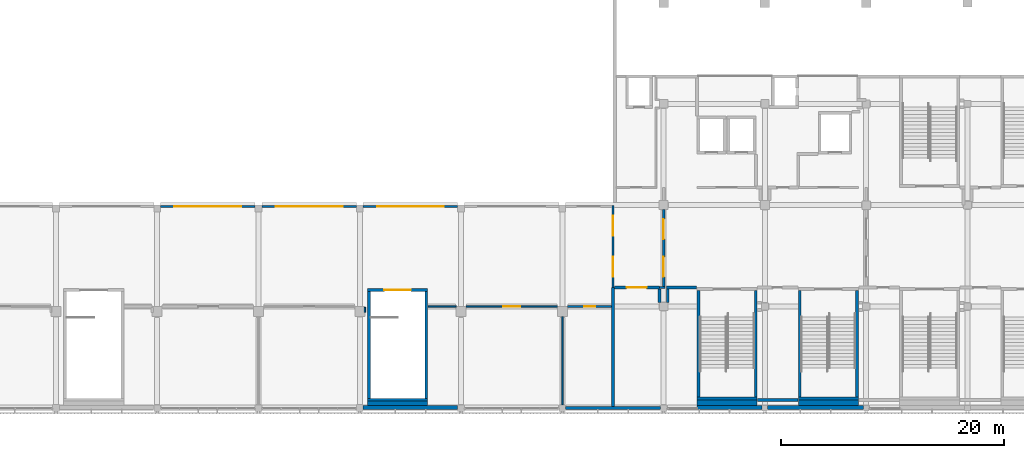
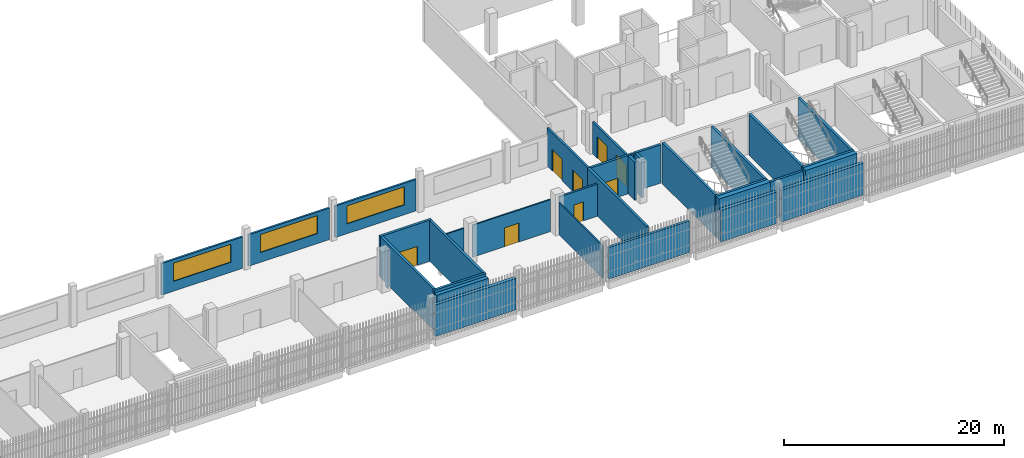
# One storey, part 57 of 104: 34 walls, 8 doors, 3 windows, 11 openings.
"""IFC4 building model written with IfcOpenShell, lengths in metres."""

from ifc_helpers import new_model, si_unit, direction, frame, frame_2d, origin, place, context, subcontext, project, spatial, rectangle, extrude, material, layer, layer_set, type_object, element, fill, save


model = new_model("IFC4")

# Units and contexts
model_context = context("Model", 3, precision=1e-05, world=origin(), true_north=direction((0.0, 1.0)))
body_context = subcontext(model_context, "Body", "Model", "MODEL_VIEW")
ifc_project = project(units=[si_unit("LENGTHUNIT", "METRE"), si_unit("AREAUNIT", "SQUARE_METRE"), si_unit("VOLUMEUNIT", "CUBIC_METRE"), si_unit("PLANEANGLEUNIT", "RADIAN"), si_unit("MASSUNIT", "GRAM", prefix="KILO")], contexts=[model_context])

# Site, building, storey
site_placement = place(None, origin())
site = spatial("IfcSite", under=ifc_project, at=site_placement, CompositionType="ELEMENT")
building_placement = place(site_placement, origin())
building = spatial("IfcBuilding", under=site, at=building_placement, Name="Shirokan Park Arena", CompositionType="ELEMENT")
storey_placement = place(building_placement, frame((0.0, 0.0, 10.919921875)))
storey = spatial("IfcBuildingStorey", under=building, at=storey_placement, Name="L02", CompositionType="ELEMENT", Elevation=10.919921875)

# Wall, opening, window
ifc_material_1 = material(Name="Cedar timber lining", Category="wood")
ifc_layer_1 = layer(ifc_material_1, 0.02001953125, Name="Cedar timber lining")
ifc_material_2 = material(Name="Plywood", Category="wood")
ifc_layer_2 = layer(ifc_material_2, 0.01806640625, Name="Plywood")
ifc_material_3 = material(Name="Mineral wool insulation")
ifc_layer_3 = layer(ifc_material_3, 0.14208984375, Name="Mineral wool insulation")
ifc_material_4 = material(Name="Gypsum board")
ifc_layer_4 = layer(ifc_material_4, 0.02001953125, Name="Gypsum board")
ifc_layer_set_1 = layer_set([ifc_layer_1, ifc_layer_2, ifc_layer_3, ifc_layer_4], Name="Cedar timber lining + Plywood + Mineral wool insulation + Gypsum board")
wall_type_1 = type_object("IfcWallType", Name="Bowl front wall 200", PredefinedType="PARTITIONING", material=ifc_layer_set_1)
wall_1_placement = place(storey_placement, frame((64.0, 18.070068359375, 0.0), z_axis=(0.0, 0.0, 1.0), x_axis=(1.0, 0.0, 0.0)))
wall_1 = element("IfcWall", 1, at=wall_1_placement, inside=storey, type_object=wall_type_1, Name="Bowl front wall 200 L02", PredefinedType="PARTITIONING", context=body_context, shape_type="SweptSolid", body=[
    extrude(rectangle(XDim=8.5, YDim=0.199951171875, at=frame_2d((4.25, 0.0))), origin(), (0.0, 0.0, 1.0), 3.5),
])
opening_1_placement = place(wall_1_placement, frame((1.25, 0.0, 1.10009765625)))
opening_1 = element("IfcOpeningElement", 2, at=opening_1_placement, cuts=wall_1, Name="Opening W6", PredefinedType="OPENING", context=body_context, shape_type="SweptSolid", body=[
    extrude(rectangle(XDim=6.0, YDim=2.0, at=frame_2d((3.0, 1.0))), frame((0.0, 0.10986328125, 0.0), z_axis=(0.0, -1.0, 0.0), x_axis=(1.0, 0.0, 0.0)), (0.0, 0.0, 1.0), 0.219970703125),
])
ifc_material_5 = material(Name="Aluminium frame with laminated glass", Category="aluminium")
window_type = type_object("IfcWindowType", Name="Lounge viewing window 6000 x 2000", PartitioningType="SINGLE_PANEL", PredefinedType="WINDOW", material=ifc_material_5)
window_1_placement = place(opening_1_placement, origin())
window_1 = element("IfcWindow", 3, at=window_1_placement, inside=storey, type_object=window_type, Name="Lounge viewing window 6000 x 2000 L02", OverallHeight=2.0, OverallWidth=6.0, PartitioningType="SINGLE_PANEL", PredefinedType="WINDOW", context=body_context, shape_type="SweptSolid", body=[
    extrude(rectangle(XDim=6.0, YDim=2.0, at=frame_2d((3.0, 1.0))), frame((0.0, 0.030029296875, 0.0), z_axis=(0.0, -1.0, 0.0), x_axis=(1.0, 0.0, 0.0)), (0.0, 0.0, 1.0), 0.06005859375),
])
fill(opening_1, window_1)

wall_2_placement = place(storey_placement, frame((73.10009765625, 18.070068359375, 0.0), z_axis=(0.0, 0.0, 1.0), x_axis=(1.0, 0.0, 0.0)))
wall_2 = element("IfcWall", 4, at=wall_2_placement, inside=storey, type_object=wall_type_1, Name="Bowl front wall 200 L02", PredefinedType="PARTITIONING", context=body_context, shape_type="SweptSolid", body=[
    extrude(rectangle(XDim=8.5, YDim=0.199951171875, at=frame_2d((4.25, 0.0))), origin(), (0.0, 0.0, 1.0), 3.5),
])
opening_2_placement = place(wall_2_placement, frame((1.25, 0.0, 1.10009765625)))
opening_2 = element("IfcOpeningElement", 5, at=opening_2_placement, cuts=wall_2, Name="Opening W6", PredefinedType="OPENING", context=body_context, shape_type="SweptSolid", body=[
    extrude(rectangle(XDim=6.0, YDim=2.0, at=frame_2d((3.0, 1.0))), frame((0.0, 0.10986328125, 0.0), z_axis=(0.0, -1.0, 0.0), x_axis=(1.0, 0.0, 0.0)), (0.0, 0.0, 1.0), 0.219970703125),
])
window_2_placement = place(opening_2_placement, origin())
window_2 = element("IfcWindow", 6, at=window_2_placement, inside=storey, type_object=window_type, Name="Lounge viewing window 6000 x 2000 L02", OverallHeight=2.0, OverallWidth=6.0, PartitioningType="SINGLE_PANEL", PredefinedType="WINDOW", context=body_context, shape_type="SweptSolid", body=[
    extrude(rectangle(XDim=6.0, YDim=2.0, at=frame_2d((3.0, 1.0))), frame((0.0, 0.030029296875, 0.0), z_axis=(0.0, -1.0, 0.0), x_axis=(1.0, 0.0, 0.0)), (0.0, 0.0, 1.0), 0.06005859375),
])
fill(opening_2, window_2)

wall_3_placement = place(storey_placement, frame((82.199951171875, 18.070068359375, 0.0), z_axis=(0.0, 0.0, 1.0), x_axis=(1.0, 0.0, 0.0)))
wall_3 = element("IfcWall", 7, at=wall_3_placement, inside=storey, type_object=wall_type_1, Name="Bowl front wall 200 L02", PredefinedType="PARTITIONING", context=body_context, shape_type="SweptSolid", body=[
    extrude(rectangle(XDim=8.5, YDim=0.199951171875, at=frame_2d((4.25, 0.0))), origin(), (0.0, 0.0, 1.0), 3.5),
])
opening_3_placement = place(wall_3_placement, frame((1.25, 0.0, 1.10009765625)))
opening_3 = element("IfcOpeningElement", 8, at=opening_3_placement, cuts=wall_3, Name="Opening W6", PredefinedType="OPENING", context=body_context, shape_type="SweptSolid", body=[
    extrude(rectangle(XDim=6.0, YDim=2.0, at=frame_2d((3.0, 1.0))), frame((0.0, 0.10986328125, 0.0), z_axis=(0.0, -1.0, 0.0), x_axis=(1.0, 0.0, 0.0)), (0.0, 0.0, 1.0), 0.219970703125),
])
window_3_placement = place(opening_3_placement, origin())
window_3 = element("IfcWindow", 9, at=window_3_placement, inside=storey, type_object=window_type, Name="Lounge viewing window 6000 x 2000 L02", OverallHeight=2.0, OverallWidth=6.0, PartitioningType="SINGLE_PANEL", PredefinedType="WINDOW", context=body_context, shape_type="SweptSolid", body=[
    extrude(rectangle(XDim=6.0, YDim=2.0, at=frame_2d((3.0, 1.0))), frame((0.0, 0.030029296875, 0.0), z_axis=(0.0, -1.0, 0.0), x_axis=(1.0, 0.0, 0.0)), (0.0, 0.0, 1.0), 0.06005859375),
])
fill(opening_3, window_3)

# Walls
ifc_material_6 = material(Name="Plaster")
ifc_layer_5 = layer(ifc_material_6, 0.014892578125, Name="Plaster")
ifc_material_7 = material(Name="Concrete blockwork", Category="masonry")
ifc_layer_6 = layer(ifc_material_7, 0.219970703125, Name="Concrete blockwork 220")
ifc_layer_7 = layer(ifc_material_6, 0.014892578125, Name="Plaster")
ifc_layer_set_2 = layer_set([ifc_layer_5, ifc_layer_6, ifc_layer_7], Name="Plaster + Concrete blockwork 220")
wall_type_2 = type_object("IfcWallType", Name="Compartment wall 250", PredefinedType="SOLIDWALL", material=ifc_layer_set_2)
wall_4_placement = place(storey_placement, frame((104.64990234375, 0.10009765625, 0.0), z_axis=(0.0, 0.0, 1.0), x_axis=(0.0, 1.0, 0.0)))
element("IfcWall", 10, at=wall_4_placement, inside=storey, type_object=wall_type_2, Name="Compartment wall 250 L02", PredefinedType="SOLIDWALL", context=body_context, shape_type="SweptSolid", body=[
    extrude(rectangle(XDim=10.699951171875, YDim=0.25, at=frame_2d((5.35009765625, 0.0))), origin(), (0.0, 0.0, 1.0), 4.25),
])
wall_5_placement = place(storey_placement, frame((108.824951171875, 9.47509765625, 0.0), z_axis=(0.0, 0.0, 1.0), x_axis=(0.0, 1.0, 0.0)))
element("IfcWall", 11, at=wall_5_placement, inside=storey, type_object=wall_type_2, Name="Compartment wall 250 L02", PredefinedType="SOLIDWALL", context=body_context, shape_type="SweptSolid", body=[
    extrude(rectangle(XDim=1.199951171875, YDim=0.25, at=frame_2d((0.60009765625, 0.0))), origin(), (0.0, 0.0, 1.0), 4.25),
])

# Wall, opening, door
wall_6_placement = place(storey_placement, frame((108.824951171875, 10.800048828125, 0.0), z_axis=(0.0, 0.0, 1.0), x_axis=(-1.0, 0.0, 0.0)))
wall_6 = element("IfcWall", 12, at=wall_6_placement, inside=storey, type_object=wall_type_2, Name="Compartment wall 250 L02", PredefinedType="SOLIDWALL", context=body_context, shape_type="SweptSolid", body=[
    extrude(rectangle(XDim=4.050048828125, YDim=0.25, at=frame_2d((2.02490234375, 0.0))), origin(), (0.0, 0.0, 1.0), 4.25),
])
opening_4_placement = place(wall_6_placement, frame((1.14990234375, 0.0, 0.0)))
opening_4 = element("IfcOpeningElement", 13, at=opening_4_placement, cuts=wall_6, Name="Opening D-2016", PredefinedType="OPENING", context=body_context, shape_type="SweptSolid", body=[
    extrude(rectangle(XDim=1.800048828125, YDim=2.10009765625, at=frame_2d((0.89990234375, 1.050048828125))), frame((0.0, 0.135009765625, 0.0), z_axis=(0.0, -1.0, 0.0), x_axis=(1.0, 0.0, 0.0)), (0.0, 0.0, 1.0), 0.27001953125),
])
ifc_material_8 = material(Name="Timber door set, fire resisting", Category="wood")
door_type_1 = type_object("IfcDoorType", Name="Double door 1800 x 2100", OperationType="DOUBLE_DOOR_SINGLE_SWING", PredefinedType="DOOR", material=ifc_material_8)
door_1_placement = place(opening_4_placement, origin())
door_1 = element("IfcDoor", 14, at=door_1_placement, inside=storey, type_object=door_type_1, Name="Door to Club Linen Store 2.23 D-2016", OperationType="DOUBLE_DOOR_SINGLE_SWING", OverallHeight=2.10009765625, OverallWidth=1.800048828125, PredefinedType="DOOR", context=body_context, shape_type="SweptSolid", body=[
    extrude(rectangle(XDim=1.800048828125, YDim=2.10009765625, at=frame_2d((0.89990234375, 1.050048828125))), frame((0.0, 0.02490234375, 0.0), z_axis=(0.0, -1.0, 0.0), x_axis=(1.0, 0.0, 0.0)), (0.0, 0.0, 1.0), 0.050048828125),
])
fill(opening_4, door_1)

# Walls
wall_7_placement = place(storey_placement, frame((109.574951171875, 10.675048828125, 0.0), z_axis=(0.0, 0.0, 1.0), x_axis=(0.0, -1.0, 0.0)))
element("IfcWall", 15, at=wall_7_placement, inside=storey, type_object=wall_type_2, Name="Compartment wall 250 L02", PredefinedType="SOLIDWALL", context=body_context, shape_type="SweptSolid", body=[
    extrude(rectangle(XDim=1.199951171875, YDim=0.25, at=frame_2d((0.60009765625, 0.0))), origin(), (0.0, 0.0, 1.0), 4.25),
])
wall_8_placement = place(storey_placement, frame((112.169921875, 10.800048828125, 0.0), z_axis=(0.0, 0.0, 1.0), x_axis=(-1.0, 0.0, 0.0)))
element("IfcWall", 16, at=wall_8_placement, inside=storey, type_object=wall_type_2, Name="Compartment wall 250 L02", PredefinedType="SOLIDWALL", context=body_context, shape_type="SweptSolid", body=[
    extrude(rectangle(XDim=2.719970703125, YDim=0.25, at=frame_2d((1.35986328125, 0.0))), origin(), (0.0, 0.0, 1.0), 4.25),
])
wall_9_placement = place(storey_placement, frame((121.27001953125, 0.699951171875, 0.0), z_axis=(0.0, 0.0, 1.0), x_axis=(-1.0, 0.0, 0.0)))
element("IfcWall", 17, at=wall_9_placement, inside=storey, type_object=wall_type_2, Name="Compartment wall 250 L02", PredefinedType="SOLIDWALL", context=body_context, shape_type="SweptSolid", body=[
    extrude(rectangle(XDim=3.64013671875, YDim=0.25, at=frame_2d((1.820068359375, 0.0))), origin(), (0.0, 0.0, 1.0), 4.25),
])

# Wall, opening, door
ifc_layer_8 = layer(ifc_material_4, 0.02490234375, Name="Gypsum board, two layers")
ifc_layer_9 = layer(ifc_material_3, 0.14990234375, Name="Mineral wool insulation")
ifc_layer_10 = layer(ifc_material_4, 0.02490234375, Name="Gypsum board, two layers")
ifc_layer_set_3 = layer_set([ifc_layer_8, ifc_layer_9, ifc_layer_10], Name="Gypsum board, two layers + Mineral wool insulation")
wall_type_3 = type_object("IfcWallType", Name="Corridor wall 200", PredefinedType="PARTITIONING", material=ifc_layer_set_3)
wall_10_placement = place(storey_placement, frame((104.52490234375, 9.10009765625, 0.0), z_axis=(0.0, 0.0, 1.0), x_axis=(-1.0, 0.0, 0.0)))
wall_10 = element("IfcWall", 18, at=wall_10_placement, inside=storey, type_object=wall_type_3, Name="Corridor wall 200 L02", PredefinedType="PARTITIONING", context=body_context, shape_type="SweptSolid", body=[
    extrude(rectangle(XDim=3.974853515625, YDim=0.199951171875, at=frame_2d((1.9873046875, 0.0))), origin(), (0.0, 0.0, 1.0), 3.550048828125),
])
opening_5_placement = place(wall_10_placement, frame((1.449951171875, 0.0, 0.0)))
opening_5 = element("IfcOpeningElement", 19, at=opening_5_placement, cuts=wall_10, Name="Opening D-2042", PredefinedType="OPENING", context=body_context, shape_type="SweptSolid", body=[
    extrude(rectangle(XDim=1.0, YDim=2.10009765625, at=frame_2d((0.5, 1.050048828125))), frame((0.0, 0.10986328125, 0.0), z_axis=(0.0, -1.0, 0.0), x_axis=(1.0, 0.0, 0.0)), (0.0, 0.0, 1.0), 0.219970703125),
])
door_type_2 = type_object("IfcDoorType", Name="Door 1000 x 2100", OperationType="SINGLE_SWING_LEFT", PredefinedType="DOOR", material=ifc_material_8)
door_2_placement = place(opening_5_placement, origin())
door_2 = element("IfcDoor", 20, at=door_2_placement, inside=storey, type_object=door_type_2, Name="Door to Club Office 2.16 D-2042", OperationType="SINGLE_SWING_RIGHT", OverallHeight=2.10009765625, OverallWidth=1.0, PredefinedType="DOOR", context=body_context, shape_type="SweptSolid", body=[
    extrude(rectangle(XDim=1.0, YDim=2.10009765625, at=frame_2d((0.5, 1.050048828125))), frame((0.0, 0.02490234375, 0.0), z_axis=(0.0, -1.0, 0.0), x_axis=(1.0, 0.0, 0.0)), (0.0, 0.0, 1.0), 0.050048828125),
])
fill(opening_5, door_2)

# Wall, openings, doors
wall_11_placement = place(storey_placement, frame((104.64990234375, 10.800048828125, 0.0), z_axis=(0.0, 0.0, 1.0), x_axis=(0.0, 1.0, 0.0)))
wall_11 = element("IfcWall", 21, at=wall_11_placement, inside=storey, type_object=wall_type_3, Name="Corridor wall 200 L02", PredefinedType="PARTITIONING", context=body_context, shape_type="SweptSolid", body=[
    extrude(rectangle(XDim=7.369873046875, YDim=0.199951171875, at=frame_2d((3.68505859375, 0.0))), origin(), (0.0, 0.0, 1.0), 4.25),
])
opening_6_placement = place(wall_11_placement, frame((0.949951171875, 0.0, 0.0)))
opening_6 = element("IfcOpeningElement", 22, at=opening_6_placement, cuts=wall_11, Name="Opening D-2061", PredefinedType="OPENING", context=body_context, shape_type="SweptSolid", body=[
    extrude(rectangle(XDim=1.800048828125, YDim=2.39990234375, at=frame_2d((0.89990234375, 1.199951171875))), frame((0.0, 0.10986328125, 0.0), z_axis=(0.0, -1.0, 0.0), x_axis=(1.0, 0.0, 0.0)), (0.0, 0.0, 1.0), 0.219970703125),
])
opening_7_placement = place(wall_11_placement, frame((4.64990234375, 0.0, 0.0)))
opening_7 = element("IfcOpeningElement", 23, at=opening_7_placement, cuts=wall_11, Name="Opening D-2062", PredefinedType="OPENING", context=body_context, shape_type="SweptSolid", body=[
    extrude(rectangle(XDim=1.800048828125, YDim=2.39990234375, at=frame_2d((0.89990234375, 1.199951171875))), frame((0.0, 0.10986328125, 0.0), z_axis=(0.0, -1.0, 0.0), x_axis=(1.0, 0.0, 0.0)), (0.0, 0.0, 1.0), 0.219970703125),
])
ifc_material_9 = material(Name="Glazed steel door set, fire resisting", Category="steel")
door_type_3 = type_object("IfcDoorType", Name="Lift lobby door 1800 x 2400", OperationType="DOUBLE_DOOR_SINGLE_SWING", PredefinedType="DOOR", material=ifc_material_9)
door_3_placement = place(opening_6_placement, origin())
door_3 = element("IfcDoor", 24, at=door_3_placement, inside=storey, type_object=door_type_3, Name="Door between Club Foyer 2.2.3 and Club Lounge 2.01 D-2061", OperationType="DOUBLE_DOOR_SINGLE_SWING", OverallHeight=2.39990234375, OverallWidth=1.800048828125, PredefinedType="DOOR", context=body_context, shape_type="SweptSolid", body=[
    extrude(rectangle(XDim=1.800048828125, YDim=2.39990234375, at=frame_2d((0.89990234375, 1.199951171875))), frame((0.0, 0.02490234375, 0.0), z_axis=(0.0, -1.0, 0.0), x_axis=(1.0, 0.0, 0.0)), (0.0, 0.0, 1.0), 0.050048828125),
])
fill(opening_6, door_3)
door_4_placement = place(opening_7_placement, origin())
door_4 = element("IfcDoor", 25, at=door_4_placement, inside=storey, type_object=door_type_3, Name="Door between Club Foyer 2.2.3 and Club Lounge 2.01 D-2062", OperationType="DOUBLE_DOOR_SINGLE_SWING", OverallHeight=2.39990234375, OverallWidth=1.800048828125, PredefinedType="DOOR", context=body_context, shape_type="SweptSolid", body=[
    extrude(rectangle(XDim=1.800048828125, YDim=2.39990234375, at=frame_2d((0.89990234375, 1.199951171875))), frame((0.0, 0.02490234375, 0.0), z_axis=(0.0, -1.0, 0.0), x_axis=(1.0, 0.0, 0.0)), (0.0, 0.0, 1.0), 0.050048828125),
])
fill(opening_7, door_4)

# Wall
wall_12_placement = place(storey_placement, frame((108.824951171875, 10.800048828125, 0.0), z_axis=(0.0, 0.0, 1.0), x_axis=(1.0, 0.0, 0.0)))
element("IfcWall", 26, at=wall_12_placement, inside=storey, type_object=wall_type_3, Name="Corridor wall 200 L02", PredefinedType="PARTITIONING", context=body_context, shape_type="SweptSolid", body=[
    extrude(rectangle(XDim=0.47509765625, YDim=0.199951171875, at=frame_2d((0.237548828125, 0.0))), origin(), (0.0, 0.0, 1.0), 4.25),
])

# Wall, openings, doors
wall_13_placement = place(storey_placement, frame((109.199951171875, 10.89990234375, 0.0), z_axis=(0.0, 0.0, 1.0), x_axis=(0.0, 1.0, 0.0)))
wall_13 = element("IfcWall", 27, at=wall_13_placement, inside=storey, type_object=wall_type_3, Name="Corridor wall 200 L02", PredefinedType="PARTITIONING", context=body_context, shape_type="SweptSolid", body=[
    extrude(rectangle(XDim=6.900146484375, YDim=0.199951171875, at=frame_2d((3.4501953125, 0.0))), origin(), (0.0, 0.0, 1.0), 3.550048828125),
])
opening_8_placement = place(wall_13_placement, frame((0.85009765625, 0.0, 0.0)))
opening_8 = element("IfcOpeningElement", 28, at=opening_8_placement, cuts=wall_13, Name="Opening D-2057", PredefinedType="OPENING", context=body_context, shape_type="SweptSolid", body=[
    extrude(rectangle(XDim=1.800048828125, YDim=2.39990234375, at=frame_2d((0.89990234375, 1.199951171875))), frame((0.0, 0.10986328125, 0.0), z_axis=(0.0, -1.0, 0.0), x_axis=(1.0, 0.0, 0.0)), (0.0, 0.0, 1.0), 0.219970703125),
])
opening_9_placement = place(wall_13_placement, frame((4.25, 0.0, 0.0)))
opening_9 = element("IfcOpeningElement", 29, at=opening_9_placement, cuts=wall_13, Name="Opening D-2058", PredefinedType="OPENING", context=body_context, shape_type="SweptSolid", body=[
    extrude(rectangle(XDim=1.800048828125, YDim=2.39990234375, at=frame_2d((0.89990234375, 1.199951171875))), frame((0.0, 0.10986328125, 0.0), z_axis=(0.0, -1.0, 0.0), x_axis=(1.0, 0.0, 0.0)), (0.0, 0.0, 1.0), 0.219970703125),
])
door_5_placement = place(opening_8_placement, origin())
door_5 = element("IfcDoor", 30, at=door_5_placement, inside=storey, type_object=door_type_3, Name="Door between Club Gallery 2.2.2 and Club Foyer 2.2.3 D-2057", OperationType="DOUBLE_DOOR_SINGLE_SWING", OverallHeight=2.39990234375, OverallWidth=1.800048828125, PredefinedType="DOOR", context=body_context, shape_type="SweptSolid", body=[
    extrude(rectangle(XDim=1.800048828125, YDim=2.39990234375, at=frame_2d((0.89990234375, 1.199951171875))), frame((0.0, 0.02490234375, 0.0), z_axis=(0.0, -1.0, 0.0), x_axis=(1.0, 0.0, 0.0)), (0.0, 0.0, 1.0), 0.050048828125),
])
fill(opening_8, door_5)
door_6_placement = place(opening_9_placement, origin())
door_6 = element("IfcDoor", 31, at=door_6_placement, inside=storey, type_object=door_type_3, Name="Door between Club Gallery 2.2.2 and Club Foyer 2.2.3 D-2058", OperationType="DOUBLE_DOOR_SINGLE_SWING", OverallHeight=2.39990234375, OverallWidth=1.800048828125, PredefinedType="DOOR", context=body_context, shape_type="SweptSolid", body=[
    extrude(rectangle(XDim=1.800048828125, YDim=2.39990234375, at=frame_2d((0.89990234375, 1.199951171875))), frame((0.0, 0.02490234375, 0.0), z_axis=(0.0, -1.0, 0.0), x_axis=(1.0, 0.0, 0.0)), (0.0, 0.0, 1.0), 0.050048828125),
])
fill(opening_9, door_6)

# Walls
ifc_material_10 = material(Name="Cedar cladding")
ifc_layer_11 = layer(ifc_material_10, 0.030029296875, Name="Cedar cladding")
ifc_layer_12 = layer(ifc_material_3, 0.10009765625, Name="Mineral wool insulation")
ifc_material_11 = material(Name="Concrete C35", Category="concrete")
ifc_layer_13 = layer(ifc_material_11, 0.199951171875, Name="Concrete C35")
ifc_material_12 = material(Name="Gypsum board lining")
ifc_layer_14 = layer(ifc_material_12, 0.02001953125, Name="Gypsum board lining")
ifc_layer_set_4 = layer_set([ifc_layer_11, ifc_layer_12, ifc_layer_13, ifc_layer_14], Name="Cedar cladding + Mineral wool insulation + Concrete C35 + Gypsum board lining")
wall_type_4 = type_object("IfcWallType", Name="Insulated tower wall 350", PredefinedType="SOLIDWALL", material=ifc_layer_set_4)
wall_14_placement = place(storey_placement, frame((82.199951171875, 0.02490234375, 0.0), z_axis=(0.0, 0.0, 1.0), x_axis=(1.0, 0.0, 0.0)))
element("IfcWall", 32, at=wall_14_placement, inside=storey, type_object=wall_type_4, Name="South facade wall bay 10 L02", PredefinedType="SOLIDWALL", context=body_context, shape_type="SweptSolid", body=[
    extrude(rectangle(XDim=8.5, YDim=0.35009765625, at=frame_2d((4.25, 0.0))), origin(), (0.0, 0.0, 1.0), 3.5),
])
wall_15_placement = place(storey_placement, frame((112.199951171875, 0.02490234375, 0.0), z_axis=(0.0, 0.0, 1.0), x_axis=(1.0, 0.0, 0.0)))
element("IfcWall", 33, at=wall_15_placement, inside=storey, type_object=wall_type_4, Name="South facade wall bay 13 L02", PredefinedType="SOLIDWALL", context=body_context, shape_type="SweptSolid", body=[
    extrude(rectangle(XDim=5.85009765625, YDim=0.35009765625, at=frame_2d((2.925048828125, 0.0))), origin(), (0.0, 0.0, 1.0), 3.5),
])
wall_16_placement = place(storey_placement, frame((118.550048828125, 0.02490234375, 0.0), z_axis=(0.0, 0.0, 1.0), x_axis=(1.0, 0.0, 0.0)))
element("IfcWall", 34, at=wall_16_placement, inside=storey, type_object=wall_type_4, Name="South facade wall bay 14 L02", PredefinedType="SOLIDWALL", context=body_context, shape_type="SweptSolid", body=[
    extrude(rectangle(XDim=8.599853515625, YDim=0.35009765625, at=frame_2d((4.2998046875, 0.0))), origin(), (0.0, 0.0, 1.0), 3.5),
])
ifc_material_13 = material(Name="Ceramic tile")
ifc_layer_15 = layer(ifc_material_13, 0.010009765625, Name="Ceramic tile")
ifc_material_14 = material(Name="Render")
ifc_layer_16 = layer(ifc_material_14, 0.010009765625, Name="Render")
ifc_layer_17 = layer(ifc_material_7, 0.10009765625, Name="Concrete blockwork 100")
ifc_layer_18 = layer(ifc_material_14, 0.010009765625, Name="Render")
ifc_layer_19 = layer(ifc_material_13, 0.010009765625, Name="Ceramic tile")
ifc_layer_set_5 = layer_set([ifc_layer_15, ifc_layer_16, ifc_layer_17, ifc_layer_18, ifc_layer_19], Name="Ceramic tile + Render + Concrete blockwork 100")
wall_type_5 = type_object("IfcWallType", Name="Kitchen wall 140", PredefinedType="SOLIDWALL", material=ifc_layer_set_5)
wall_17_placement = place(storey_placement, frame((90.550048828125, 9.10009765625, 0.0), z_axis=(0.0, 0.0, 1.0), x_axis=(-1.0, 0.0, 0.0)))
element("IfcWall", 35, at=wall_17_placement, inside=storey, type_object=wall_type_5, Name="Kitchen wall 140 L02", PredefinedType="SOLIDWALL", context=body_context, shape_type="SweptSolid", body=[
    extrude(rectangle(XDim=2.52001953125, YDim=0.139892578125, at=frame_2d((1.260009765625, 0.0))), origin(), (0.0, 0.0, 1.0), 3.550048828125),
])

# Wall, opening, door
wall_18_placement = place(storey_placement, frame((99.64990234375, 9.10009765625, 0.0), z_axis=(0.0, 0.0, 1.0), x_axis=(-1.0, 0.0, 0.0)))
wall_18 = element("IfcWall", 36, at=wall_18_placement, inside=storey, type_object=wall_type_5, Name="Kitchen wall 140 L02", PredefinedType="SOLIDWALL", context=body_context, shape_type="SweptSolid", body=[
    extrude(rectangle(XDim=8.199951171875, YDim=0.139892578125, at=frame_2d((4.10009765625, 0.0))), origin(), (0.0, 0.0, 1.0), 3.550048828125),
])
opening_10_placement = place(wall_18_placement, frame((3.35009765625, 0.0, 0.0)))
opening_10 = element("IfcOpeningElement", 37, at=opening_10_placement, cuts=wall_18, Name="Opening D-2041", PredefinedType="OPENING", context=body_context, shape_type="SweptSolid", body=[
    extrude(rectangle(XDim=1.5, YDim=2.10009765625, at=frame_2d((0.75, 1.050048828125))), frame((0.0, 0.079833984375, 0.0), z_axis=(0.0, -1.0, 0.0), x_axis=(1.0, 0.0, 0.0)), (0.0, 0.0, 1.0), 0.159912109375),
])
ifc_material_15 = material(Name="Stainless steel door set, fire resisting", Category="steel")
door_type_4 = type_object("IfcDoorType", Name="Kitchen door 1500 x 2100", OperationType="DOUBLE_DOOR_SINGLE_SWING", PredefinedType="DOOR", material=ifc_material_15)
door_7_placement = place(opening_10_placement, origin())
door_7 = element("IfcDoor", 38, at=door_7_placement, inside=storey, type_object=door_type_4, Name="Door to Club Kitchen 2.15 D-2041", OperationType="DOUBLE_DOOR_SINGLE_SWING", OverallHeight=2.10009765625, OverallWidth=1.5, PredefinedType="DOOR", context=body_context, shape_type="SweptSolid", body=[
    extrude(rectangle(XDim=1.5, YDim=2.10009765625, at=frame_2d((0.75, 1.050048828125))), frame((0.0, 0.02490234375, 0.0), z_axis=(0.0, -1.0, 0.0), x_axis=(1.0, 0.0, 0.0)), (0.0, 0.0, 1.0), 0.050048828125),
])
fill(opening_10, door_7)

# Walls
wall_19_placement = place(storey_placement, frame((100.10009765625, 8.199951171875, 0.0), z_axis=(0.0, 0.0, 1.0), x_axis=(0.0, -1.0, 0.0)))
element("IfcWall", 39, at=wall_19_placement, inside=storey, type_object=wall_type_5, Name="Kitchen wall 140 L02", PredefinedType="SOLIDWALL", context=body_context, shape_type="SweptSolid", body=[
    extrude(rectangle(XDim=7.949951171875, YDim=0.139892578125, at=frame_2d((3.97509765625, 0.0))), origin(), (0.0, 0.0, 1.0), 3.550048828125),
])
ifc_material_16 = material(Name="Concrete C40/50 precast", Category="concrete")
ifc_layer_20 = layer(ifc_material_16, 0.10009765625, Name="Concrete C40/50 precast")
ifc_layer_21 = layer(ifc_material_3, 0.10009765625, Name="Mineral wool insulation")
ifc_layer_22 = layer(ifc_material_12, 0.050048828125, Name="Gypsum board lining")
ifc_layer_set_6 = layer_set([ifc_layer_20, ifc_layer_21, ifc_layer_22], Name="Concrete C40/50 precast + Mineral wool insulation + Gypsum board lining")
wall_type_6 = type_object("IfcWallType", Name="Precast concrete panel wall 250", PredefinedType="SOLIDWALL", material=ifc_layer_set_6)
wall_20_placement = place(storey_placement, frame((100.39990234375, -0.02490234375, 0.0), z_axis=(0.0, 0.0, 1.0), x_axis=(1.0, 0.0, 0.0)))
element("IfcWall", 40, at=wall_20_placement, inside=storey, type_object=wall_type_6, Name="South facade wall bay 12 L02", PredefinedType="SOLIDWALL", context=body_context, shape_type="SweptSolid", body=[
    extrude(rectangle(XDim=8.5, YDim=0.25, at=frame_2d((4.25, 0.0))), origin(), (0.0, 0.0, 1.0), 3.5),
])
ifc_material_17 = material(Name="Concrete C40/50", Category="concrete")
ifc_layer_23 = layer(ifc_material_17, 0.25)
ifc_layer_set_7 = layer_set([ifc_layer_23], Name="Concrete C40/50 250 mm")
wall_type_7 = type_object("IfcWallType", Name="RC shear wall 250", PredefinedType="SHEAR", material=ifc_layer_set_7)
wall_21_placement = place(storey_placement, frame((126.699951171875, 0.824951171875, 0.0), z_axis=(0.0, 0.0, 1.0), x_axis=(-1.0, 0.0, 0.0)))
element("IfcWall", 41, at=wall_21_placement, inside=storey, type_object=wall_type_7, Name="Shaft wall Exit Stair 2.C S L02", PredefinedType="SHEAR", context=body_context, shape_type="SweptSolid", body=[
    extrude(rectangle(XDim=5.39990234375, YDim=0.25, at=frame_2d((2.699951171875, 0.0))), origin(), (0.0, 0.0, 1.0), 4.550048828125),
])
for number, where, z_axis, x_axis, name in (
    (42, (121.425048828125, 10.550048828125, 0.0), (0.0, 0.0, 1.0), (0.0, -1.0, 0.0), "Shaft wall Exit Stair 2.C W L02"),
    (43, (126.574951171875, 10.550048828125, 0.0), (0.0, 0.0, 1.0), (0.0, -1.0, 0.0), "Shaft wall Exit Stair 2.C E L02"),
):
    element("IfcWall", number, at=place(storey_placement, frame(where, z_axis=z_axis, x_axis=x_axis)), inside=storey, type_object=wall_type_7, Name=name, PredefinedType="SHEAR", context=body_context, shape_type="SweptSolid", body=[
        extrude(rectangle(XDim=9.60009765625, YDim=0.25, at=frame_2d((4.800048828125, 0.0))), origin(), (0.0, 0.0, 1.0), 4.550048828125),
    ])
wall_22_placement = place(storey_placement, frame((117.60009765625, 0.824951171875, 0.0), z_axis=(0.0, 0.0, 1.0), x_axis=(-1.0, 0.0, 0.0)))
element("IfcWall", 44, at=wall_22_placement, inside=storey, type_object=wall_type_7, Name="Shaft wall Exit Stair 2.D S L02", PredefinedType="SHEAR", context=body_context, shape_type="SweptSolid", body=[
    extrude(rectangle(XDim=5.400146484375, YDim=0.25, at=frame_2d((2.7001953125, 0.0))), origin(), (0.0, 0.0, 1.0), 4.550048828125),
])
for number, where, z_axis, x_axis, name in (
    (45, (112.324951171875, 10.550048828125, 0.0), (0.0, 0.0, 1.0), (0.0, -1.0, 0.0), "Shaft wall Exit Stair 2.D W L02"),
    (46, (117.47509765625, 10.550048828125, 0.0), (0.0, 0.0, 1.0), (0.0, -1.0, 0.0), "Shaft wall Exit Stair 2.D E L02"),
):
    element("IfcWall", number, at=place(storey_placement, frame(where, z_axis=z_axis, x_axis=x_axis)), inside=storey, type_object=wall_type_7, Name=name, PredefinedType="SHEAR", context=body_context, shape_type="SweptSolid", body=[
        extrude(rectangle(XDim=9.60009765625, YDim=0.25, at=frame_2d((4.800048828125, 0.0))), origin(), (0.0, 0.0, 1.0), 4.550048828125),
    ])
wall_23_placement = place(storey_placement, frame((88.0, 0.72509765625, 0.0), z_axis=(0.0, 0.0, 1.0), x_axis=(-1.0, 0.0, 0.0)))
element("IfcWall", 47, at=wall_23_placement, inside=storey, type_object=wall_type_7, Name="Shaft wall Entrance Stair E1.2 S L02", PredefinedType="SHEAR", context=body_context, shape_type="SweptSolid", body=[
    extrude(rectangle(XDim=5.39990234375, YDim=0.25, at=frame_2d((2.699951171875, 0.0))), origin(), (0.0, 0.0, 1.0), 4.550048828125),
])

# Wall, opening, door
wall_24_placement = place(storey_placement, frame((88.0, 10.574951171875, 0.0), z_axis=(0.0, 0.0, 1.0), x_axis=(-1.0, 0.0, 0.0)))
wall_24 = element("IfcWall", 48, at=wall_24_placement, inside=storey, type_object=wall_type_7, Name="Shaft wall Entrance Stair E1.2 N L02", PredefinedType="SHEAR", context=body_context, shape_type="SweptSolid", body=[
    extrude(rectangle(XDim=5.39990234375, YDim=0.25, at=frame_2d((2.699951171875, 0.0))), origin(), (0.0, 0.0, 1.0), 4.550048828125),
])
opening_11_placement = place(wall_24_placement, frame((1.5, 0.0, 0.0)))
opening_11 = element("IfcOpeningElement", 49, at=opening_11_placement, cuts=wall_24, Name="Opening D-2115", PredefinedType="OPENING", context=body_context, shape_type="SweptSolid", body=[
    extrude(rectangle(XDim=2.39990234375, YDim=2.10009765625, at=frame_2d((1.199951171875, 1.050048828125))), frame((0.0, 0.135009765625, 0.0), z_axis=(0.0, -1.0, 0.0), x_axis=(1.0, 0.0, 0.0)), (0.0, 0.0, 1.0), 0.27001953125),
])
ifc_material_18 = material(Name="Steel door set, fire resisting", Category="steel")
door_type_5 = type_object("IfcDoorType", Name="Stair door 2400 x 2100", OperationType="DOUBLE_DOOR_SINGLE_SWING", PredefinedType="DOOR", material=ifc_material_18)
door_8_placement = place(opening_11_placement, origin())
door_8 = element("IfcDoor", 50, at=door_8_placement, inside=storey, type_object=door_type_5, Name="Stair door Entrance Stair E1.2 D-2115", OperationType="DOUBLE_DOOR_SINGLE_SWING", OverallHeight=2.10009765625, OverallWidth=2.39990234375, PredefinedType="DOOR", context=body_context, shape_type="SweptSolid", body=[
    extrude(rectangle(XDim=2.39990234375, YDim=2.10009765625, at=frame_2d((1.199951171875, 1.050048828125))), frame((0.0, 0.02490234375, 0.0), z_axis=(0.0, -1.0, 0.0), x_axis=(1.0, 0.0, 0.0)), (0.0, 0.0, 1.0), 0.050048828125),
])
fill(opening_11, door_8)

# Walls
for number, where, z_axis, x_axis, name in (
    (51, (82.72509765625, 10.449951171875, 0.0), (0.0, 0.0, 1.0), (0.0, -1.0, 0.0), "Shaft wall Entrance Stair E1.2 W L02"),
    (52, (87.875, 10.449951171875, 0.0), (0.0, 0.0, 1.0), (0.0, -1.0, 0.0), "Shaft wall Entrance Stair E1.2 E L02"),
):
    element("IfcWall", number, at=place(storey_placement, frame(where, z_axis=z_axis, x_axis=x_axis)), inside=storey, type_object=wall_type_7, Name=name, PredefinedType="SHEAR", context=body_context, shape_type="SweptSolid", body=[
        extrude(rectangle(XDim=9.599853515625, YDim=0.25, at=frame_2d((4.7998046875, 0.0))), origin(), (0.0, 0.0, 1.0), 4.550048828125),
    ])
ifc_layer_24 = layer(ifc_material_11, 0.39990234375)
ifc_layer_set_8 = layer_set([ifc_layer_24], Name="Concrete C35 400 mm")
wall_type_8 = type_object("IfcWallType", Name="Shaft infill wall 400", PredefinedType="SOLIDWALL", material=ifc_layer_set_8)
wall_25_placement = place(storey_placement, frame((82.60009765625, 0.39990234375, 0.0), z_axis=(0.0, 0.0, 1.0), x_axis=(1.0, 0.0, 0.0)))
element("IfcWall", 53, at=wall_25_placement, inside=storey, type_object=wall_type_8, Name="Shaft infill wall L02", PredefinedType="SOLIDWALL", context=body_context, shape_type="SweptSolid", body=[
    extrude(rectangle(XDim=5.39990234375, YDim=0.39990234375, at=frame_2d((2.699951171875, 0.0))), origin(), (0.0, 0.0, 1.0), 4.25),
])
ifc_layer_25 = layer(ifc_material_11, 0.5)
ifc_layer_set_9 = layer_set([ifc_layer_25], Name="Concrete C35 500 mm")
wall_type_9 = type_object("IfcWallType", Name="Shaft infill wall 500", PredefinedType="SOLIDWALL", material=ifc_layer_set_9)
wall_26_placement = place(storey_placement, frame((121.300048828125, 0.449951171875, 0.0), z_axis=(0.0, 0.0, 1.0), x_axis=(1.0, 0.0, 0.0)))
element("IfcWall", 54, at=wall_26_placement, inside=storey, type_object=wall_type_9, Name="Shaft infill wall L02", PredefinedType="SOLIDWALL", context=body_context, shape_type="SweptSolid", body=[
    extrude(rectangle(XDim=5.39990234375, YDim=0.5, at=frame_2d((2.699951171875, 0.0))), origin(), (0.0, 0.0, 1.0), 4.550048828125),
])
wall_27_placement = place(storey_placement, frame((112.199951171875, 0.449951171875, 0.0), z_axis=(0.0, 0.0, 1.0), x_axis=(1.0, 0.0, 0.0)))
element("IfcWall", 55, at=wall_27_placement, inside=storey, type_object=wall_type_9, Name="Shaft infill wall L02", PredefinedType="SOLIDWALL", context=body_context, shape_type="SweptSolid", body=[
    extrude(rectangle(XDim=5.400146484375, YDim=0.5, at=frame_2d((2.7001953125, 0.0))), origin(), (0.0, 0.0, 1.0), 4.550048828125),
])
ifc_layer_26 = layer(ifc_material_13, 0.010009765625, Name="Ceramic tile")
ifc_material_19 = material(Name="Cement board")
ifc_layer_27 = layer(ifc_material_19, 0.012451171875, Name="Cement board")
ifc_layer_28 = layer(ifc_material_3, 0.080078125, Name="Mineral wool insulation")
ifc_layer_29 = layer(ifc_material_19, 0.012451171875, Name="Cement board")
ifc_layer_30 = layer(ifc_material_13, 0.010009765625, Name="Ceramic tile")
ifc_layer_set_10 = layer_set([ifc_layer_26, ifc_layer_27, ifc_layer_28, ifc_layer_29, ifc_layer_30], Name="Ceramic tile + Cement board + Mineral wool insulation")
wall_type_10 = type_object("IfcWallType", Name="Wet-area wall 125", PredefinedType="PARTITIONING", material=ifc_layer_set_10)
wall_28_placement = place(storey_placement, frame((82.35009765625, 9.02490234375, 0.0), z_axis=(0.0, 0.0, 1.0), x_axis=(0.0, -1.0, 0.0)))
element("IfcWall", 56, at=wall_28_placement, inside=storey, type_object=wall_type_10, Name="Wet-area wall 125 L02", PredefinedType="PARTITIONING", context=body_context, shape_type="SweptSolid", body=[
    extrude(rectangle(XDim=0.449951171875, YDim=0.125, at=frame_2d((0.22509765625, 0.0))), origin(), (0.0, 0.0, 1.0), 4.25),
])

save(model, "model.ifc")
